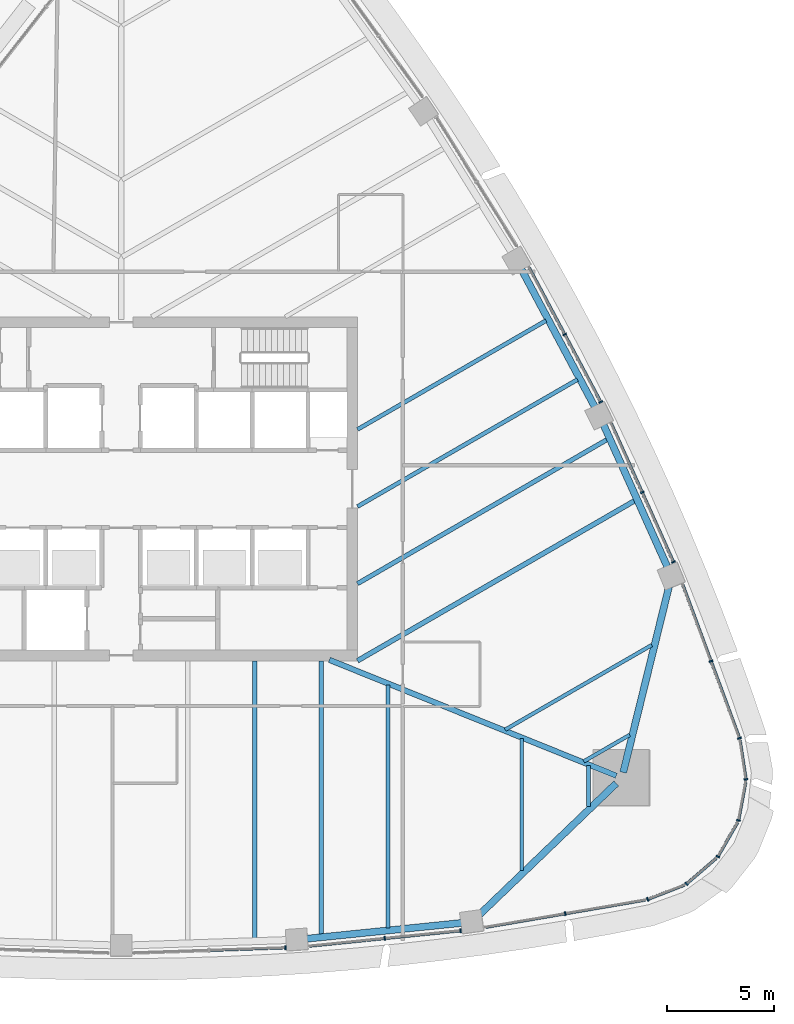
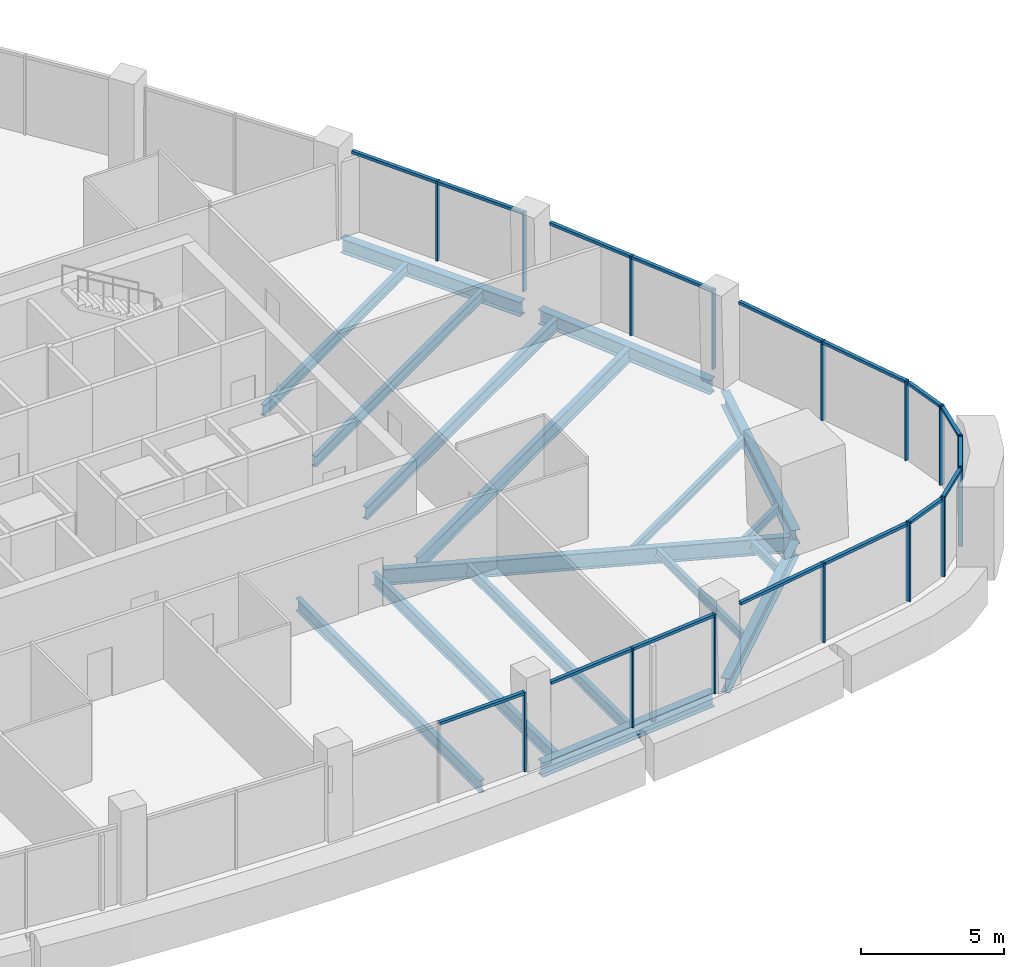
# One storey, part 4 of 18: 31 members, 17 beams, 11 elements without a shape of their own.
"""IFC4 building model written with IfcOpenShell, lengths in metres."""

from ifc_helpers import new_model, si_unit, direction, frame, origin, origin_2d, place, context, subcontext, project, spatial, rectangle, i_section, extrude, material, layer, layer_set, material_profile, profile_set, type_object, element, aggregate, save


model = new_model("IFC4")

# Units and contexts
model_context = context("Model", 3, precision=1e-05, world=origin(), true_north=direction((0.0, 1.0)))
body_context = subcontext(model_context, "Body", "Model", "MODEL_VIEW")
ifc_project = project(units=[si_unit("LENGTHUNIT", "METRE"), si_unit("AREAUNIT", "SQUARE_METRE"), si_unit("VOLUMEUNIT", "CUBIC_METRE"), si_unit("PLANEANGLEUNIT", "RADIAN"), si_unit("MASSUNIT", "GRAM", prefix="KILO")], contexts=[model_context])

# Site, building, storey
site_placement = place(None, origin())
site = spatial("IfcSite", under=ifc_project, at=site_placement, CompositionType="ELEMENT")
building_placement = place(site_placement, origin())
building = spatial("IfcBuilding", under=site, at=building_placement, Name="Sierra Prisma Convention Tower", CompositionType="ELEMENT")
storey_placement = place(building_placement, frame((0.0, 0.0, 189.800048828125)))
storey = spatial("IfcBuildingStorey", under=building, at=storey_placement, Name="L42", CompositionType="ELEMENT", Elevation=189.800048828125)

# Curtain wall, member
ifc_material_1 = material(Name="Aluminium and glass curtain wall", Category="aluminium")
ifc_layer = layer(ifc_material_1, 0.179931640625)
ifc_layer_set = layer_set([ifc_layer], Name="CW-1 Plain shaft curtain wall")
curtain_wall_type = type_object("IfcCurtainWallType", Name="CW-1 Plain shaft curtain wall", PredefinedType="NOTDEFINED", material=ifc_layer_set)
curtain_wall_1_placement = place(storey_placement, origin())
curtain_wall_1 = element("IfcCurtainWall", 1, at=curtain_wall_1_placement, inside=storey, type_object=curtain_wall_type, Name="CW-1 S4 L42", PredefinedType="NOTDEFINED")
ifc_material_2 = material(Name="Aluminium 6063-T6 bronze anodised", Category="aluminium")
ifc_material_profile_1 = material_profile(ifc_material_2, rectangle(XDim=0.179931640625, YDim=0.070068359375, at=origin_2d()), Name="ALU MULLION 70x180")
ifc_profile_set_1 = profile_set([ifc_material_profile_1], Name="Aluminium 6063-T6 bronze anodised")
member_type_1 = type_object("IfcMemberType", Name="CW mullion bronze", PredefinedType="MULLION", material=ifc_profile_set_1)
member_1_placement = place(storey_placement, frame((7.65771484375, -21.344970703125, 0.0), z_axis=(0.0, 0.0, 1.0), x_axis=(-0.033842513539, 0.999427178076, 0.0)))
member_1 = element("IfcMember", 2, at=member_1_placement, type_object=member_type_1, Name="CW-1 mullion S4.3", PredefinedType="MULLION", context=body_context, shape_type="SweptSolid", body=[
    extrude(rectangle(XDim=0.179931640625, YDim=0.070068359375, at=origin_2d()), origin(), (0.0, 0.0, 1.0), 3.39990234375),
])

# Curtain wall, members
curtain_wall_2_placement = place(storey_placement, origin())
curtain_wall_2 = element("IfcCurtainWall", 3, at=curtain_wall_2_placement, inside=storey, type_object=curtain_wall_type, Name="CW-1 S5 L42", PredefinedType="NOTDEFINED")
member_2_placement = place(storey_placement, frame((12.266357421875, -20.91259765625, 0.0), z_axis=(0.0, 0.0, 1.0), x_axis=(-0.101372499166, 0.994848539433, 0.0)))
member_2 = element("IfcMember", 4, at=member_2_placement, type_object=member_type_1, Name="CW-1 mullion S5.2", PredefinedType="MULLION", context=body_context, shape_type="SweptSolid", body=[
    extrude(rectangle(XDim=0.179931640625, YDim=0.070068359375, at=origin_2d()), origin(), (0.0, 0.0, 1.0), 3.39990234375),
])
member_3_placement = place(storey_placement, frame((15.795654296875, -20.552978515625, 0.0), z_axis=(0.0, 0.0, 1.0), x_axis=(-0.101372499166, 0.994848539433, 0.0)))
member_3 = element("IfcMember", 5, at=member_3_placement, type_object=member_type_1, Name="CW-1 mullion S5.3", PredefinedType="MULLION", context=body_context, shape_type="SweptSolid", body=[
    extrude(rectangle(XDim=0.179931640625, YDim=0.070068359375, at=origin_2d()), origin(), (0.0, 0.0, 1.0), 3.39990234375),
])

# Curtain wall, member
curtain_wall_3_placement = place(storey_placement, origin())
curtain_wall_3 = element("IfcCurtainWall", 6, at=curtain_wall_3_placement, inside=storey, type_object=curtain_wall_type, Name="CW-1 S6 L42", PredefinedType="NOTDEFINED")
member_4_placement = place(storey_placement, frame((20.664794921875, -19.7607421875, 0.0), z_axis=(0.0, 0.0, 1.0), x_axis=(-0.168438070707, 0.985712238098, 0.0)))
member_4 = element("IfcMember", 7, at=member_4_placement, type_object=member_type_1, Name="CW-1 mullion S6.2", PredefinedType="MULLION", context=body_context, shape_type="SweptSolid", body=[
    extrude(rectangle(XDim=0.179931640625, YDim=0.070068359375, at=origin_2d()), origin(), (0.0, 0.0, 1.0), 3.39990234375),
])

curtain_wall_4_placement = place(storey_placement, origin())
curtain_wall_4 = element("IfcCurtainWall", 8, at=curtain_wall_4_placement, inside=storey, type_object=curtain_wall_type, Name="CW-1 SE1 L42", PredefinedType="NOTDEFINED")
member_5_placement = place(storey_placement, frame((24.4970703125, -19.0986328125, 0.0), z_axis=(0.0, 0.0, 1.0), x_axis=(-0.363399801549, 0.931633288496, 0.0)))
member_5 = element("IfcMember", 9, at=member_5_placement, type_object=member_type_1, Name="CW-1 mullion SE1.1", PredefinedType="MULLION", context=body_context, shape_type="SweptSolid", body=[
    extrude(rectangle(XDim=0.179931640625, YDim=0.070068359375, at=origin_2d()), origin(), (0.0, 0.0, 1.0), 3.39990234375),
])

curtain_wall_5_placement = place(storey_placement, origin())
curtain_wall_5 = element("IfcCurtainWall", 10, at=curtain_wall_5_placement, inside=storey, type_object=curtain_wall_type, Name="CW-1 SE2 L42", PredefinedType="NOTDEFINED")
member_6_placement = place(storey_placement, frame((26.300048828125, -18.383056640625, 0.0), z_axis=(0.0, 0.0, 1.0), x_axis=(-0.651497051268, 0.75865116634, 0.0)))
member_6 = element("IfcMember", 11, at=member_6_placement, type_object=member_type_1, Name="CW-1 mullion SE2.1", PredefinedType="MULLION", context=body_context, shape_type="SweptSolid", body=[
    extrude(rectangle(XDim=0.179931640625, YDim=0.070068359375, at=origin_2d()), origin(), (0.0, 0.0, 1.0), 3.39990234375),
])

curtain_wall_6_placement = place(storey_placement, origin())
curtain_wall_6 = element("IfcCurtainWall", 12, at=curtain_wall_6_placement, inside=storey, type_object=curtain_wall_type, Name="CW-1 SE3 L42", PredefinedType="NOTDEFINED")
member_7_placement = place(storey_placement, frame((27.76416015625, -17.1103515625, 0.0), z_axis=(0.0, 0.0, 1.0), x_axis=(-0.866025403784, 0.5, 0.0)))
member_7 = element("IfcMember", 13, at=member_7_placement, type_object=member_type_1, Name="CW-1 mullion SE3.1", PredefinedType="MULLION", context=body_context, shape_type="SweptSolid", body=[
    extrude(rectangle(XDim=0.179931640625, YDim=0.070068359375, at=origin_2d()), origin(), (0.0, 0.0, 1.0), 3.39990234375),
])

curtain_wall_7_placement = place(storey_placement, origin())
curtain_wall_7 = element("IfcCurtainWall", 14, at=curtain_wall_7_placement, inside=storey, type_object=curtain_wall_type, Name="CW-1 SE4 L42", PredefinedType="NOTDEFINED")
member_8_placement = place(storey_placement, frame((28.72412109375, -15.424560546875, 0.0), z_axis=(0.0, 0.0, 1.0), x_axis=(-0.982759708295, 0.184887413719, 0.0)))
member_8 = element("IfcMember", 15, at=member_8_placement, type_object=member_type_1, Name="CW-1 mullion SE4.1", PredefinedType="MULLION", context=body_context, shape_type="SweptSolid", body=[
    extrude(rectangle(XDim=0.179931640625, YDim=0.070068359375, at=origin_2d()), origin(), (0.0, 0.0, 1.0), 3.39990234375),
])

curtain_wall_8_placement = place(storey_placement, origin())
curtain_wall_8 = element("IfcCurtainWall", 16, at=curtain_wall_8_placement, inside=storey, type_object=curtain_wall_type, Name="CW-1 SE5 L42", PredefinedType="NOTDEFINED")
member_9_placement = place(storey_placement, frame((29.0712890625, -13.51611328125, 0.0), z_axis=(0.0, 0.0, 1.0), x_axis=(-0.988517995623, -0.151103184377, 0.0)))
member_9 = element("IfcMember", 17, at=member_9_placement, type_object=member_type_1, Name="CW-1 mullion SE5.1", PredefinedType="MULLION", context=body_context, shape_type="SweptSolid", body=[
    extrude(rectangle(XDim=0.179931640625, YDim=0.070068359375, at=origin_2d()), origin(), (0.0, 0.0, 1.0), 3.39990234375),
])

# Curtain wall, members
curtain_wall_9_placement = place(storey_placement, origin())
curtain_wall_9 = element("IfcCurtainWall", 18, at=curtain_wall_9_placement, inside=storey, type_object=curtain_wall_type, Name="CW-1 NE1 L42", PredefinedType="NOTDEFINED")
member_10_placement = place(storey_placement, frame((28.77099609375, -11.598388671875, 0.0), z_axis=(0.0, 0.0, 1.0), x_axis=(-0.937870874368, -0.346984470852, 0.0)))
member_10 = element("IfcMember", 19, at=member_10_placement, type_object=member_type_1, Name="CW-1 mullion NE1.1", PredefinedType="MULLION", context=body_context, shape_type="SweptSolid", body=[
    extrude(rectangle(XDim=0.179931640625, YDim=0.070068359375, at=origin_2d()), origin(), (0.0, 0.0, 1.0), 3.39990234375),
])
member_11_placement = place(storey_placement, frame((27.445556640625, -8.015869140625, 0.0), z_axis=(0.0, 0.0, 1.0), x_axis=(-0.937870874368, -0.346984470852, 0.0)))
member_11 = element("IfcMember", 20, at=member_11_placement, type_object=member_type_1, Name="CW-1 mullion NE1.2", PredefinedType="MULLION", context=body_context, shape_type="SweptSolid", body=[
    extrude(rectangle(XDim=0.179931640625, YDim=0.070068359375, at=origin_2d()), origin(), (0.0, 0.0, 1.0), 3.39990234375),
])

curtain_wall_10_placement = place(storey_placement, origin())
curtain_wall_10 = element("IfcCurtainWall", 21, at=curtain_wall_10_placement, inside=storey, type_object=curtain_wall_type, Name="CW-1 NE2 L42", PredefinedType="NOTDEFINED")
member_12_placement = place(storey_placement, frame((25.697265625, -3.403076171875, 0.0), z_axis=(0.0, 0.0, 1.0), x_axis=(-0.91225035765, -0.409633110194, 0.0)))
member_12 = element("IfcMember", 22, at=member_12_placement, type_object=member_type_1, Name="CW-1 mullion NE2.1", PredefinedType="MULLION", context=body_context, shape_type="SweptSolid", body=[
    extrude(rectangle(XDim=0.179931640625, YDim=0.070068359375, at=origin_2d()), origin(), (0.0, 0.0, 1.0), 3.39990234375),
])
member_13_placement = place(storey_placement, frame((24.244140625, -0.166748046875, 0.0), z_axis=(0.0, 0.0, 1.0), x_axis=(-0.91225035765, -0.409633110194, 0.0)))
member_13 = element("IfcMember", 23, at=member_13_placement, type_object=member_type_1, Name="CW-1 mullion NE2.2", PredefinedType="MULLION", context=body_context, shape_type="SweptSolid", body=[
    extrude(rectangle(XDim=0.179931640625, YDim=0.070068359375, at=origin_2d()), origin(), (0.0, 0.0, 1.0), 3.39990234375),
])

curtain_wall_11_placement = place(storey_placement, origin())
curtain_wall_11 = element("IfcCurtainWall", 24, at=curtain_wall_11_placement, inside=storey, type_object=curtain_wall_type, Name="CW-1 NE3 L42", PredefinedType="NOTDEFINED")
member_14_placement = place(storey_placement, frame((22.314208984375, 4.04052734375, 0.0), z_axis=(0.0, 0.0, 1.0), x_axis=(-0.882450582216, -0.470405112585, 0.0)))
member_14 = element("IfcMember", 25, at=member_14_placement, type_object=member_type_1, Name="CW-1 mullion NE3.1", PredefinedType="MULLION", context=body_context, shape_type="SweptSolid", body=[
    extrude(rectangle(XDim=0.179931640625, YDim=0.070068359375, at=origin_2d()), origin(), (0.0, 0.0, 1.0), 3.39990234375),
])
member_15_placement = place(storey_placement, frame((20.637939453125, 7.185302734375, 0.0), z_axis=(0.0, 0.0, 1.0), x_axis=(-0.882450582216, -0.470405112585, 0.0)))
member_15 = element("IfcMember", 26, at=member_15_placement, type_object=member_type_1, Name="CW-1 mullion NE3.2", PredefinedType="MULLION", context=body_context, shape_type="SweptSolid", body=[
    extrude(rectangle(XDim=0.179931640625, YDim=0.070068359375, at=origin_2d()), origin(), (0.0, 0.0, 1.0), 3.39990234375),
])

# Member
ifc_material_3 = material(Name="Aluminium 6063-T6 bronze anodised", Category="aluminium")
ifc_material_profile_2 = material_profile(ifc_material_3, rectangle(XDim=0.139892578125, YDim=0.1201171875, at=origin_2d()), Name="ALU TRANSOM 120x140")
ifc_profile_set_2 = profile_set([ifc_material_profile_2], Name="Aluminium 6063-T6 bronze anodised")
member_type_2 = type_object("IfcMemberType", Name="CW transom bronze", PredefinedType="USERDEFINED", material=ifc_profile_set_2)
member_16_placement = place(storey_placement, frame((4.131103515625, -21.46435546875, 3.33984375), z_axis=(0.999427870493, 0.033822059105, 0.0), x_axis=(-0.033822059105, 0.999427870493, 0.0)))
member_16 = element("IfcMember", 27, at=member_16_placement, type_object=member_type_2, Name="CW-1 transom S4.2", ObjectType="TRANSOM", PredefinedType="USERDEFINED", context=body_context, shape_type="SweptSolid", body=[
    extrude(rectangle(XDim=0.139892578125, YDim=0.1201171875, at=origin_2d()), origin(), (0.0, 0.0, 1.0), 3.49365234375),
])

aggregate(curtain_wall_1, [member_1, member_16])

member_17_placement = place(storey_placement, frame((8.77197265625, -21.2685546875, 3.33984375), z_axis=(0.994855534527, 0.101303827276, 0.0), x_axis=(-0.101303827276, 0.994855534527, 0.0)))
member_17 = element("IfcMember", 28, at=member_17_placement, type_object=member_type_2, Name="CW-1 transom S5.1", ObjectType="TRANSOM", PredefinedType="USERDEFINED", context=body_context, shape_type="SweptSolid", body=[
    extrude(rectangle(XDim=0.139892578125, YDim=0.1201171875, at=origin_2d()), origin(), (0.0, 0.0, 1.0), 3.4775390625),
])

member_18_placement = place(storey_placement, frame((12.30126953125, -20.908935546875, 3.33984375), z_axis=(0.994848456842, 0.101373309694, 0.0), x_axis=(-0.101373309694, 0.994848456842, 0.0)))
member_18 = element("IfcMember", 29, at=member_18_placement, type_object=member_type_2, Name="CW-1 transom S5.2", ObjectType="TRANSOM", PredefinedType="USERDEFINED", context=body_context, shape_type="SweptSolid", body=[
    extrude(rectangle(XDim=0.139892578125, YDim=0.1201171875, at=origin_2d()), origin(), (0.0, 0.0, 1.0), 3.4775390625),
])

aggregate(curtain_wall_2, [member_2, member_3, member_17, member_18])

member_19_placement = place(storey_placement, frame((16.93408203125, -20.398193359375, 3.33984375), z_axis=(0.985711650171, 0.168441511262, 0.0), x_axis=(-0.168441511262, 0.985711650171, 0.0)))
member_19 = element("IfcMember", 30, at=member_19_placement, type_object=member_type_2, Name="CW-1 transom S6.1", ObjectType="TRANSOM", PredefinedType="USERDEFINED", context=body_context, shape_type="SweptSolid", body=[
    extrude(rectangle(XDim=0.139892578125, YDim=0.1201171875, at=origin_2d()), origin(), (0.0, 0.0, 1.0), 3.74951171875),
])

member_20_placement = place(storey_placement, frame((20.69921875, -19.7548828125, 3.33984375), z_axis=(0.985713497351, 0.168430701298, 0.0), x_axis=(-0.168430701298, 0.985713497351, 0.0)))
member_20 = element("IfcMember", 31, at=member_20_placement, type_object=member_type_2, Name="CW-1 transom S6.2", ObjectType="TRANSOM", PredefinedType="USERDEFINED", context=body_context, shape_type="SweptSolid", body=[
    extrude(rectangle(XDim=0.139892578125, YDim=0.1201171875, at=origin_2d()), origin(), (0.0, 0.0, 1.0), 3.749755859375),
])

aggregate(curtain_wall_3, [member_4, member_19, member_20])

member_21_placement = place(storey_placement, frame((24.529541015625, -19.0859375, 3.33984375), z_axis=(0.931638042578, 0.363387613466, 0.0), x_axis=(-0.363387613466, 0.931638042578, 0.0)))
member_21 = element("IfcMember", 32, at=member_21_placement, type_object=member_type_2, Name="CW-1 transom SE1.1", ObjectType="TRANSOM", PredefinedType="USERDEFINED", context=body_context, shape_type="SweptSolid", body=[
    extrude(rectangle(XDim=0.139892578125, YDim=0.1201171875, at=origin_2d()), origin(), (0.0, 0.0, 1.0), 1.802001953125),
])

aggregate(curtain_wall_4, [member_5, member_21])

member_22_placement = place(storey_placement, frame((26.32666015625, -18.360107421875, 3.33984375), z_axis=(0.758663276347, 0.651482949219, 0.0), x_axis=(-0.651482949219, 0.758663276347, 0.0)))
member_22 = element("IfcMember", 33, at=member_22_placement, type_object=member_type_2, Name="CW-1 transom SE2.1", ObjectType="TRANSOM", PredefinedType="USERDEFINED", context=body_context, shape_type="SweptSolid", body=[
    extrude(rectangle(XDim=0.139892578125, YDim=0.1201171875, at=origin_2d()), origin(), (0.0, 0.0, 1.0), 1.8017578125),
])

aggregate(curtain_wall_5, [member_6, member_22])

member_23_placement = place(storey_placement, frame((27.78173828125, -17.080078125, 3.33984375), z_axis=(0.499957023337, 0.866050214951, 0.0), x_axis=(-0.866050214951, 0.499957023337, 0.0)))
member_23 = element("IfcMember", 34, at=member_23_placement, type_object=member_type_2, Name="CW-1 transom SE3.1", ObjectType="TRANSOM", PredefinedType="USERDEFINED", context=body_context, shape_type="SweptSolid", body=[
    extrude(rectangle(XDim=0.139892578125, YDim=0.1201171875, at=origin_2d()), origin(), (0.0, 0.0, 1.0), 1.802001953125),
])

aggregate(curtain_wall_6, [member_7, member_23])

member_24_placement = place(storey_placement, frame((28.73046875, -15.39013671875, 3.33984375), z_axis=(0.184951142086, 0.982747716884, 0.0), x_axis=(-0.982747716884, 0.184951142086, 0.0)))
member_24 = element("IfcMember", 35, at=member_24_placement, type_object=member_type_2, Name="CW-1 transom SE4.1", ObjectType="TRANSOM", PredefinedType="USERDEFINED", context=body_context, shape_type="SweptSolid", body=[
    extrude(rectangle(XDim=0.139892578125, YDim=0.1201171875, at=origin_2d()), origin(), (0.0, 0.0, 1.0), 1.8017578125),
])

aggregate(curtain_wall_7, [member_8, member_24])

member_25_placement = place(storey_placement, frame((29.06591796875, -13.4814453125, 3.33984375), z_axis=(-0.151069531277, 0.988523139193, 0.0), x_axis=(-0.988523139193, -0.151069531277, 0.0)))
member_25 = element("IfcMember", 36, at=member_25_placement, type_object=member_type_2, Name="CW-1 transom SE5.1", ObjectType="TRANSOM", PredefinedType="USERDEFINED", context=body_context, shape_type="SweptSolid", body=[
    extrude(rectangle(XDim=0.139892578125, YDim=0.1201171875, at=origin_2d()), origin(), (0.0, 0.0, 1.0), 1.802001953125),
])

aggregate(curtain_wall_8, [member_9, member_25])

member_26_placement = place(storey_placement, frame((28.7587890625, -11.5654296875, 3.33984375), z_axis=(-0.346960203563, 0.93787985219, 0.0), x_axis=(-0.93787985219, -0.346960203563, 0.0)))
member_26 = element("IfcMember", 37, at=member_26_placement, type_object=member_type_2, Name="CW-1 transom NE1.1", ObjectType="TRANSOM", PredefinedType="USERDEFINED", context=body_context, shape_type="SweptSolid", body=[
    extrude(rectangle(XDim=0.139892578125, YDim=0.1201171875, at=origin_2d()), origin(), (0.0, 0.0, 1.0), 3.749755859375),
])

member_27_placement = place(storey_placement, frame((27.43359375, -7.98291015625, 3.33984375), z_axis=(-0.347017471777, 0.937858664342, 0.0), x_axis=(-0.937858664342, -0.347017471777, 0.0)))
member_27 = element("IfcMember", 38, at=member_27_placement, type_object=member_type_2, Name="CW-1 transom NE1.2", ObjectType="TRANSOM", PredefinedType="USERDEFINED", context=body_context, shape_type="SweptSolid", body=[
    extrude(rectangle(XDim=0.139892578125, YDim=0.1201171875, at=origin_2d()), origin(), (0.0, 0.0, 1.0), 3.749755859375),
])

aggregate(curtain_wall_9, [member_10, member_11, member_26, member_27])

member_28_placement = place(storey_placement, frame((25.682861328125, -3.37109375, 3.33984375), z_axis=(-0.409646444425, 0.912244369985, 0.0), x_axis=(-0.912244369985, -0.409646444425, 0.0)))
member_28 = element("IfcMember", 39, at=member_28_placement, type_object=member_type_2, Name="CW-1 transom NE2.1", ObjectType="TRANSOM", PredefinedType="USERDEFINED", context=body_context, shape_type="SweptSolid", body=[
    extrude(rectangle(XDim=0.139892578125, YDim=0.1201171875, at=origin_2d()), origin(), (0.0, 0.0, 1.0), 3.4775390625),
])

member_29_placement = place(storey_placement, frame((24.229736328125, -0.134765625, 3.33984375), z_axis=(-0.409646444425, 0.912244369985, 0.0), x_axis=(-0.912244369985, -0.409646444425, 0.0)))
member_29 = element("IfcMember", 40, at=member_29_placement, type_object=member_type_2, Name="CW-1 transom NE2.2", ObjectType="TRANSOM", PredefinedType="USERDEFINED", context=body_context, shape_type="SweptSolid", body=[
    extrude(rectangle(XDim=0.139892578125, YDim=0.1201171875, at=origin_2d()), origin(), (0.0, 0.0, 1.0), 3.4775390625),
])

aggregate(curtain_wall_10, [member_12, member_13, member_28, member_29])

member_30_placement = place(storey_placement, frame((22.2978515625, 4.071533203125, 3.33984375), z_axis=(-0.470428641248, 0.882438039464, 0.0), x_axis=(-0.882438039464, -0.470428641248, 0.0)))
member_30 = element("IfcMember", 41, at=member_30_placement, type_object=member_type_2, Name="CW-1 transom NE3.1", ObjectType="TRANSOM", PredefinedType="USERDEFINED", context=body_context, shape_type="SweptSolid", body=[
    extrude(rectangle(XDim=0.139892578125, YDim=0.1201171875, at=origin_2d()), origin(), (0.0, 0.0, 1.0), 3.49365234375),
])

member_31_placement = place(storey_placement, frame((20.621337890625, 7.21630859375, 3.33984375), z_axis=(-0.470403232376, 0.882451584491, 0.0), x_axis=(-0.882451584491, -0.470403232376, 0.0)))
member_31 = element("IfcMember", 42, at=member_31_placement, type_object=member_type_2, Name="CW-1 transom NE3.2", ObjectType="TRANSOM", PredefinedType="USERDEFINED", context=body_context, shape_type="SweptSolid", body=[
    extrude(rectangle(XDim=0.139892578125, YDim=0.1201171875, at=origin_2d()), origin(), (0.0, 0.0, 1.0), 3.493408203125),
])

aggregate(curtain_wall_11, [member_14, member_15, member_30, member_31])

# Beams
ifc_material_4 = material(Name="Steel ASTM A992 Gr 50", Category="steel")
ifc_material_profile_3 = material_profile(ifc_material_4, i_section(OverallWidth=0.172119140625, OverallDepth=0.35791015625, WebThickness=0.0078125, FlangeThickness=0.01318359375, at=origin_2d()), Name="W360x57")
ifc_profile_set_3 = profile_set([ifc_material_profile_3], Name="Steel ASTM A992 Gr 50")
beam_type_1 = type_object("IfcBeamType", Name="Floor joist W360x57", PredefinedType="JOIST", material=ifc_profile_set_3)
beam_1_placement = place(storey_placement, frame((18.63916015625, -17.750244140625, -0.3291015625), z_axis=(0.0, 1.0, 0.0), x_axis=(-1.0, 0.0, 0.0)))
element("IfcBeam", 43, at=beam_1_placement, inside=storey, type_object=beam_type_1, Name="Floor joist L42 S14", PredefinedType="JOIST", context=body_context, shape_type="SweptSolid", body=[
    extrude(i_section(OverallWidth=0.172119140625, OverallDepth=0.35791015625, WebThickness=0.0078125, FlangeThickness=0.01318359375, at=origin_2d()), origin(), (0.0, 0.0, 1.0), 6.125732421875),
])
beam_2_placement = place(storey_placement, frame((21.74560546875, -14.767578125, -0.3291015625), z_axis=(0.0, 1.0, 0.0), x_axis=(-1.0, 0.0, 0.0)))
element("IfcBeam", 44, at=beam_2_placement, inside=storey, type_object=beam_type_1, Name="Floor joist L42 S15", PredefinedType="JOIST", context=body_context, shape_type="SweptSolid", body=[
    extrude(i_section(OverallWidth=0.172119140625, OverallDepth=0.35791015625, WebThickness=0.0078125, FlangeThickness=0.01318359375, at=origin_2d()), origin(), (0.0, 0.0, 1.0), 1.888427734375),
])
beam_3_placement = place(storey_placement, frame((23.661865234375, -11.448486328125, -0.3291015625), z_axis=(-0.866022320763, -0.500005339912, 0.0), x_axis=(0.500005339912, -0.866022320763, 0.0)))
element("IfcBeam", 45, at=beam_3_placement, inside=storey, type_object=beam_type_1, Name="Floor joist L42 NE01", PredefinedType="JOIST", context=body_context, shape_type="SweptSolid", body=[
    extrude(i_section(OverallWidth=0.172119140625, OverallDepth=0.35791015625, WebThickness=0.0078125, FlangeThickness=0.01318359375, at=origin_2d()), origin(), (0.0, 0.0, 1.0), 2.46533203125),
])
beam_4_placement = place(storey_placement, frame((24.691650390625, -7.266845703125, -0.3291015625), z_axis=(-0.866017812613, -0.500013148064, 0.0), x_axis=(0.500013148064, -0.866017812613, 0.0)))
element("IfcBeam", 46, at=beam_4_placement, inside=storey, type_object=beam_type_1, Name="Floor joist L42 NE02", PredefinedType="JOIST", context=body_context, shape_type="SweptSolid", body=[
    extrude(i_section(OverallWidth=0.172119140625, OverallDepth=0.35791015625, WebThickness=0.0078125, FlangeThickness=0.01318359375, at=origin_2d()), origin(), (0.0, 0.0, 1.0), 7.875732421875),
])
ifc_material_5 = material(Name="Steel ASTM A992 Gr 50", Category="steel")
ifc_material_profile_4 = material_profile(ifc_material_5, i_section(OverallWidth=0.18994140625, OverallDepth=0.45703125, WebThickness=0.009033203125, FlangeThickness=0.014404296875, at=origin_2d()), Name="W460x74")
ifc_profile_set_4 = profile_set([ifc_material_profile_4], Name="Steel ASTM A992 Gr 50")
beam_type_2 = type_object("IfcBeamType", Name="Floor joist W460x74", PredefinedType="JOIST", material=ifc_profile_set_4)
beam_5_placement = place(storey_placement, frame((12.426025390625, -20.431396484375, -0.378662109375), z_axis=(0.0, 1.0, 0.0), x_axis=(-1.0, 0.0, 0.0)))
element("IfcBeam", 47, at=beam_5_placement, inside=storey, type_object=beam_type_2, Name="Floor joist L42 S12", PredefinedType="JOIST", context=body_context, shape_type="SweptSolid", body=[
    extrude(i_section(OverallWidth=0.18994140625, OverallDepth=0.45703125, WebThickness=0.009033203125, FlangeThickness=0.014404296875, at=origin_2d()), origin(), (0.0, 0.0, 1.0), 11.316162109375),
])
beam_6_placement = place(storey_placement, frame((21.233642578125, 5.0849609375, -0.378662109375), z_axis=(-0.86603248233, -0.499987739399, 0.0), x_axis=(0.499987739399, -0.86603248233, 0.0)))
element("IfcBeam", 48, at=beam_6_placement, inside=storey, type_object=beam_type_2, Name="Floor joist L42 NE06", PredefinedType="JOIST", context=body_context, shape_type="SweptSolid", body=[
    extrude(i_section(OverallWidth=0.18994140625, OverallDepth=0.45703125, WebThickness=0.009033203125, FlangeThickness=0.014404296875, at=origin_2d()), origin(), (0.0, 0.0, 1.0), 11.816650390625),
])
beam_7_placement = place(storey_placement, frame((19.771484375, 7.827880859375, -0.378662109375), z_axis=(-0.866025826207, -0.499999268342, 0.0), x_axis=(0.499999268342, -0.866025826207, 0.0)))
element("IfcBeam", 49, at=beam_7_placement, inside=storey, type_object=beam_type_2, Name="Floor joist L42 NE07", PredefinedType="JOIST", context=body_context, shape_type="SweptSolid", body=[
    extrude(i_section(OverallWidth=0.18994140625, OverallDepth=0.45703125, WebThickness=0.009033203125, FlangeThickness=0.014404296875, at=origin_2d()), origin(), (0.0, 0.0, 1.0), 10.12841796875),
])
ifc_material_6 = material(Name="Steel ASTM A992 Gr 50", Category="steel")
ifc_material_profile_5 = material_profile(ifc_material_6, i_section(OverallWidth=0.208984375, OverallDepth=0.532958984375, WebThickness=0.01025390625, FlangeThickness=0.015625, at=origin_2d()), Name="W530x92")
ifc_profile_set_5 = profile_set([ifc_material_profile_5], Name="Steel ASTM A992 Gr 50")
beam_type_3 = type_object("IfcBeamType", Name="Floor joist W530x92", PredefinedType="JOIST", material=ifc_profile_set_5)
beam_8_placement = place(storey_placement, frame((6.213134765625, -20.931396484375, -0.41650390625), z_axis=(0.0, 1.0, 0.0), x_axis=(-1.0, 0.0, 0.0)))
element("IfcBeam", 50, at=beam_8_placement, inside=storey, type_object=beam_type_3, Name="Floor joist L42 S10", PredefinedType="JOIST", context=body_context, shape_type="SweptSolid", body=[
    extrude(i_section(OverallWidth=0.208984375, OverallDepth=0.532958984375, WebThickness=0.01025390625, FlangeThickness=0.015625, at=origin_2d()), origin(), (0.0, 0.0, 1.0), 12.931396484375),
])
beam_9_placement = place(storey_placement, frame((9.319580078125, -20.748046875, -0.41650390625), z_axis=(0.0, 1.0, 0.0), x_axis=(-1.0, 0.0, 0.0)))
element("IfcBeam", 51, at=beam_9_placement, inside=storey, type_object=beam_type_3, Name="Floor joist L42 S11", PredefinedType="JOIST", context=body_context, shape_type="SweptSolid", body=[
    extrude(i_section(OverallWidth=0.208984375, OverallDepth=0.532958984375, WebThickness=0.01025390625, FlangeThickness=0.015625, at=origin_2d()), origin(), (0.0, 0.0, 1.0), 12.748046875),
])
beam_10_placement = place(storey_placement, frame((22.6279296875, 2.302978515625, -0.41650390625), z_axis=(-0.866025707867, -0.499999473313, 0.0), x_axis=(0.499999473313, -0.866025707867, 0.0)))
element("IfcBeam", 52, at=beam_10_placement, inside=storey, type_object=beam_type_3, Name="Floor joist L42 NE05", PredefinedType="JOIST", context=body_context, shape_type="SweptSolid", body=[
    extrude(i_section(OverallWidth=0.208984375, OverallDepth=0.532958984375, WebThickness=0.01025390625, FlangeThickness=0.015625, at=origin_2d()), origin(), (0.0, 0.0, 1.0), 13.4267578125),
])
ifc_material_7 = material(Name="Steel ASTM A992 Gr 50", Category="steel")
ifc_material_profile_6 = material_profile(ifc_material_7, i_section(OverallWidth=0.22802734375, OverallDepth=0.60302734375, WebThickness=0.010498046875, FlangeThickness=0.014892578125, at=origin_2d()), Name="W610x101")
ifc_profile_set_6 = profile_set([ifc_material_profile_6], Name="Steel ASTM A992 Gr 50")
beam_type_4 = type_object("IfcBeamType", Name="Floor joist W610x101", PredefinedType="JOIST", material=ifc_profile_set_6)
beam_11_placement = place(storey_placement, frame((23.906982421875, -0.545654296875, -0.45166015625), z_axis=(-0.866023819722, -0.500002743666, 0.0), x_axis=(0.500002743666, -0.866023819722, 0.0)))
element("IfcBeam", 53, at=beam_11_placement, inside=storey, type_object=beam_type_4, Name="Floor joist L42 NE04", PredefinedType="JOIST", context=body_context, shape_type="SweptSolid", body=[
    extrude(i_section(OverallWidth=0.22802734375, OverallDepth=0.60302734375, WebThickness=0.010498046875, FlangeThickness=0.014892578125, at=origin_2d()), origin(), (0.0, 0.0, 1.0), 14.90380859375),
])
ifc_material_8 = material(Name="Steel ASTM A992 Gr 50", Category="steel")
ifc_material_profile_7 = material_profile(ifc_material_8, i_section(OverallWidth=0.25390625, OverallDepth=0.68408203125, WebThickness=0.012451171875, FlangeThickness=0.018798828125, at=origin_2d()), Name="W690x140")
ifc_profile_set_7 = profile_set([ifc_material_profile_7], Name="Steel ASTM A992 Gr 50")
beam_type_5 = type_object("IfcBeamType", Name="Radial girder W690x140", PredefinedType="BEAM", material=ifc_profile_set_7)
beam_12_placement = place(storey_placement, frame((23.038818359375, -13.3466796875, -0.491943359375), z_axis=(-0.927236628638, 0.374475946506, 0.0), x_axis=(-0.374475946506, -0.927236628638, 0.0)))
element("IfcBeam", 54, at=beam_12_placement, inside=storey, type_object=beam_type_5, Name="Radial girder L42 SE", PredefinedType="BEAM", context=body_context, shape_type="SweptSolid", body=[
    extrude(i_section(OverallWidth=0.25390625, OverallDepth=0.68408203125, WebThickness=0.012451171875, FlangeThickness=0.018798828125, at=origin_2d()), origin(), (0.0, 0.0, 1.0), 14.397705078125),
])
ifc_material_9 = material(Name="Steel ASTM A992 Gr 50", Category="steel")
ifc_material_profile_8 = material_profile(ifc_material_9, i_section(OverallWidth=0.324951171875, OverallDepth=0.615966796875, WebThickness=0.013916015625, FlangeThickness=0.021484375, at=origin_2d()), Name="W610x174")
ifc_profile_set_8 = profile_set([ifc_material_profile_8], Name="Steel ASTM A992 Gr 50")
beam_type_6 = type_object("IfcBeamType", Name="Spandrel beam W610x174", PredefinedType="BEAM", material=ifc_profile_set_8)
beam_13_placement = place(storey_placement, frame((8.5595703125, -20.938720703125, -0.4580078125), z_axis=(0.994848904938, 0.101368912117, 0.0), x_axis=(-0.101368912117, 0.994848904938, 0.0)))
element("IfcBeam", 55, at=beam_13_placement, inside=storey, type_object=beam_type_6, Name="Spandrel L42-05", PredefinedType="BEAM", context=body_context, shape_type="SweptSolid", body=[
    extrude(i_section(OverallWidth=0.324951171875, OverallDepth=0.615966796875, WebThickness=0.013916015625, FlangeThickness=0.021484375, at=origin_2d()), origin(), (0.0, 0.0, 1.0), 7.42529296875),
])
beam_14_placement = place(storey_placement, frame((16.6845703125, -19.802001953125, -0.4580078125), z_axis=(0.721344673725, 0.692576249729, 0.0), x_axis=(-0.692576249729, 0.721344673725, 0.0)))
element("IfcBeam", 56, at=beam_14_placement, inside=storey, type_object=beam_type_6, Name="Spandrel L42-06", PredefinedType="BEAM", context=body_context, shape_type="SweptSolid", body=[
    extrude(i_section(OverallWidth=0.324951171875, OverallDepth=0.615966796875, WebThickness=0.013916015625, FlangeThickness=0.021484375, at=origin_2d()), origin(), (0.0, 0.0, 1.0), 8.808837890625),
])
beam_15_placement = place(storey_placement, frame((23.36279296875, -13.191650390625, -0.4580078125), z_axis=(0.239133226394, 0.970986766148, 0.0), x_axis=(-0.970986766148, 0.239133226394, 0.0)))
element("IfcBeam", 57, at=beam_15_placement, inside=storey, type_object=beam_type_6, Name="Spandrel L42-07", PredefinedType="BEAM", context=body_context, shape_type="SweptSolid", body=[
    extrude(i_section(OverallWidth=0.324951171875, OverallDepth=0.615966796875, WebThickness=0.013916015625, FlangeThickness=0.021484375, at=origin_2d()), origin(), (0.0, 0.0, 1.0), 8.901611328125),
])
beam_16_placement = place(storey_placement, frame((25.454833984375, -3.71728515625, -0.4580078125), z_axis=(-0.409634517805, 0.912249725581, 0.0), x_axis=(-0.912249725581, -0.409634517805, 0.0)))
element("IfcBeam", 58, at=beam_16_placement, inside=storey, type_object=beam_type_6, Name="Spandrel L42-08", PredefinedType="BEAM", context=body_context, shape_type="SweptSolid", body=[
    extrude(i_section(OverallWidth=0.324951171875, OverallDepth=0.615966796875, WebThickness=0.013916015625, FlangeThickness=0.021484375, at=origin_2d()), origin(), (0.0, 0.0, 1.0), 7.425537109375),
])
beam_17_placement = place(storey_placement, frame((22.07861328125, 3.739013671875, -0.4580078125), z_axis=(-0.47040562507, 0.882450309027, 0.0), x_axis=(-0.882450309027, -0.47040562507, 0.0)))
element("IfcBeam", 59, at=beam_17_placement, inside=storey, type_object=beam_type_6, Name="Spandrel L42-09", PredefinedType="BEAM", context=body_context, shape_type="SweptSolid", body=[
    extrude(i_section(OverallWidth=0.324951171875, OverallDepth=0.615966796875, WebThickness=0.013916015625, FlangeThickness=0.021484375, at=origin_2d()), origin(), (0.0, 0.0, 1.0), 7.42529296875),
])

save(model, "model.ifc")
